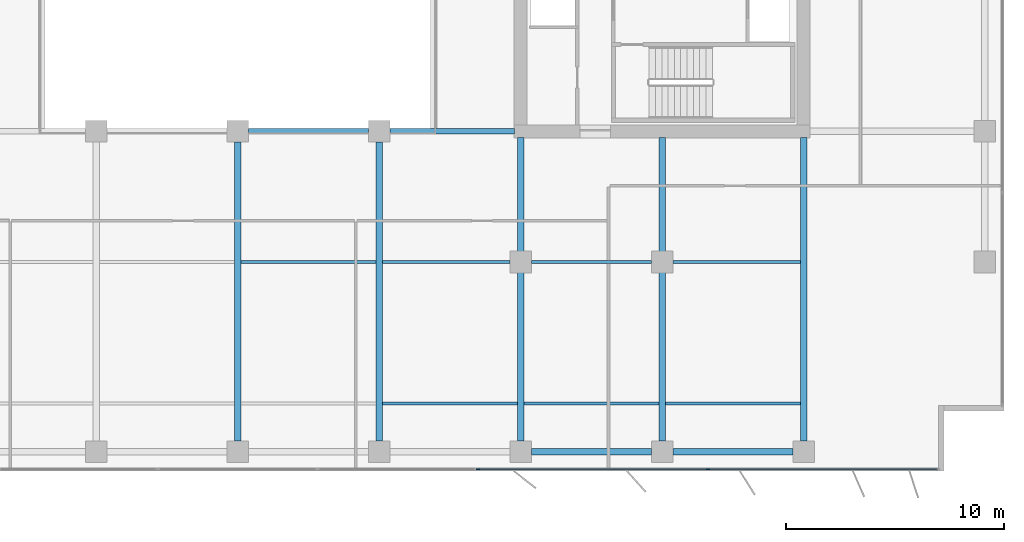
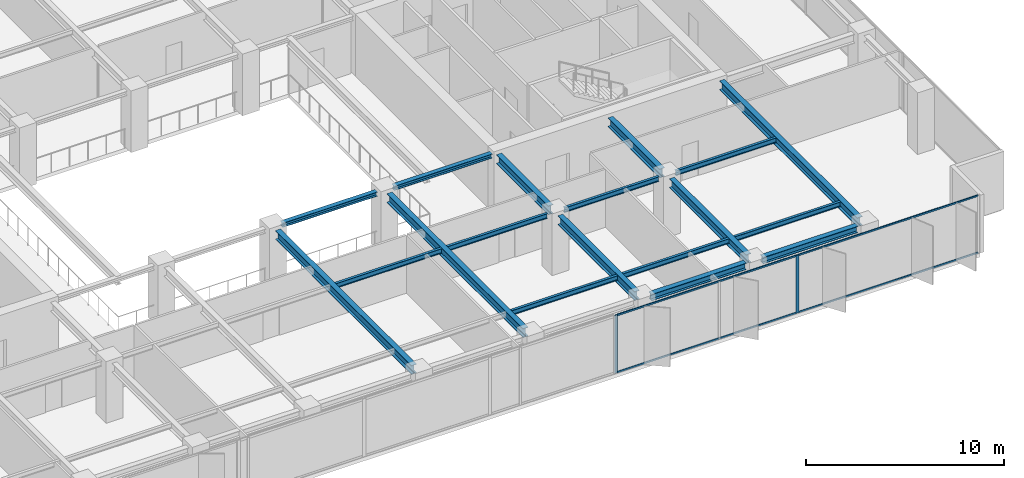
# One storey, part 6 of 22: 18 beams, 6 members, 1 element without a shape of its own.
"""IFC4 building model written with IfcOpenShell, lengths in metres."""

from ifc_helpers import new_model, si_unit, direction, frame, origin, origin_2d, place, context, subcontext, project, spatial, rectangle, i_section, extrude, material, layer, layer_set, material_profile, profile_set, type_object, element, aggregate, save


model = new_model("IFC4")

# Units and contexts
model_context = context("Model", 3, precision=1e-05, world=origin(), true_north=direction((0.0, 1.0)))
body_context = subcontext(model_context, "Body", "Model", "MODEL_VIEW")
ifc_project = project(units=[si_unit("LENGTHUNIT", "METRE"), si_unit("AREAUNIT", "SQUARE_METRE"), si_unit("VOLUMEUNIT", "CUBIC_METRE"), si_unit("PLANEANGLEUNIT", "RADIAN"), si_unit("MASSUNIT", "GRAM", prefix="KILO")], contexts=[model_context])

# Site, building, storey
site_placement = place(None, origin())
site = spatial("IfcSite", under=ifc_project, at=site_placement, CompositionType="ELEMENT")
building_placement = place(site_placement, origin())
building = spatial("IfcBuilding", under=site, at=building_placement, Name="Putna Gate Headquarters", CompositionType="ELEMENT")
storey_placement = place(building_placement, frame((0.0, 0.0, 148.0)))
storey = spatial("IfcBuildingStorey", under=building, at=storey_placement, Name="L36", CompositionType="ELEMENT", Elevation=148.0)

# Beams
ifc_material_1 = material(Name="Steel S355J2", Category="steel")
ifc_material_profile_1 = material_profile(ifc_material_1, i_section(OverallWidth=0.260009765625, OverallDepth=0.260009765625, WebThickness=0.010009765625, FlangeThickness=0.017578125, at=origin_2d()), Name="Steel S355J2")
ifc_profile_set_1 = profile_set([ifc_material_profile_1], Name="Steel S355J2")
beam_type_1 = type_object("IfcBeamType", Name="BM-ATRIUM-HEB260", PredefinedType="BEAM", material=ifc_profile_set_1)
beam_1_placement = place(storey_placement, frame((39.488037109375, 19.0, 3.44189453125), z_axis=(1.0, 0.0, 0.0), x_axis=(0.0, 1.0, 0.0)))
element("IfcBeam", 1, at=beam_1_placement, inside=storey, type_object=beam_type_1, Name="L36 Atrium Edge Beam AS3", PredefinedType="BEAM", context=body_context, shape_type="SweptSolid", body=[
    extrude(i_section(OverallWidth=0.260009765625, OverallDepth=0.260009765625, WebThickness=0.010009765625, FlangeThickness=0.017578125, at=origin_2d()), origin(), (0.0, 0.0, 1.0), 5.52392578125),
])
beam_2_placement = place(storey_placement, frame((45.988037109375, 19.0, 3.44189453125), z_axis=(1.0, 0.0, 0.0), x_axis=(0.0, 1.0, 0.0)))
element("IfcBeam", 2, at=beam_2_placement, inside=storey, type_object=beam_type_1, Name="L36 Atrium Edge Beam AS4", PredefinedType="BEAM", context=body_context, shape_type="SweptSolid", body=[
    extrude(i_section(OverallWidth=0.260009765625, OverallDepth=0.260009765625, WebThickness=0.010009765625, FlangeThickness=0.017578125, at=origin_2d()), origin(), (0.0, 0.0, 1.0), 5.72705078125),
])
ifc_material_profile_2 = material_profile(ifc_material_1, i_section(OverallWidth=0.300048828125, OverallDepth=0.550048828125, WebThickness=0.014892578125, FlangeThickness=0.029052734375, at=origin_2d()), Name="Steel S355J2")
ifc_profile_set_2 = profile_set([ifc_material_profile_2], Name="Steel S355J2")
beam_type_2 = type_object("IfcBeamType", Name="BM-GIRD-Z3-HEB550", PredefinedType="USERDEFINED", material=ifc_profile_set_2)
for number, where, z_axis, x_axis, name in (
    (3, (39.0, 4.76806640625, 3.297119140625), (0.0, 1.0, 0.0), (-1.0, 0.0, 0.0), "L36 South Primary Girder X39"),
    (4, (45.5, 4.76806640625, 3.297119140625), (0.0, 1.0, 0.0), (-1.0, 0.0, 0.0), "L36 South Primary Girder X45"),
):
    element("IfcBeam", number, at=place(storey_placement, frame(where, z_axis=z_axis, x_axis=x_axis)), inside=storey, type_object=beam_type_2, Name=name, ObjectType="GIRDER", PredefinedType="USERDEFINED", context=body_context, shape_type="SweptSolid", body=[
        extrude(i_section(OverallWidth=0.300048828125, OverallDepth=0.550048828125, WebThickness=0.014892578125, FlangeThickness=0.029052734375, at=origin_2d()), origin(), (0.0, 0.0, 1.0), 13.743896484375),
    ])
beam_3_placement = place(storey_placement, frame((52.0, 4.76806640625, 3.297119140625), z_axis=(0.0, 1.0, 0.0), x_axis=(-1.0, 0.0, 0.0)))
element("IfcBeam", 5, at=beam_3_placement, inside=storey, type_object=beam_type_2, Name="L36 South Primary Girder X52-1", ObjectType="GIRDER", PredefinedType="USERDEFINED", context=body_context, shape_type="SweptSolid", body=[
    extrude(i_section(OverallWidth=0.300048828125, OverallDepth=0.550048828125, WebThickness=0.014892578125, FlangeThickness=0.029052734375, at=origin_2d()), origin(), (0.0, 0.0, 1.0), 7.743896484375),
])
beam_4_placement = place(storey_placement, frame((52.0, 13.488037109375, 3.297119140625), z_axis=(0.0, 1.0, 0.0), x_axis=(-1.0, 0.0, 0.0)))
element("IfcBeam", 6, at=beam_4_placement, inside=storey, type_object=beam_type_2, Name="L36 South Primary Girder X52-2", ObjectType="GIRDER", PredefinedType="USERDEFINED", context=body_context, shape_type="SweptSolid", body=[
    extrude(i_section(OverallWidth=0.300048828125, OverallDepth=0.550048828125, WebThickness=0.014892578125, FlangeThickness=0.029052734375, at=origin_2d()), origin(), (0.0, 0.0, 1.0), 5.22705078125),
])
beam_5_placement = place(storey_placement, frame((58.5, 4.76806640625, 3.297119140625), z_axis=(0.0, 1.0, 0.0), x_axis=(-1.0, 0.0, 0.0)))
element("IfcBeam", 7, at=beam_5_placement, inside=storey, type_object=beam_type_2, Name="L36 South Primary Girder X58-1", ObjectType="GIRDER", PredefinedType="USERDEFINED", context=body_context, shape_type="SweptSolid", body=[
    extrude(i_section(OverallWidth=0.300048828125, OverallDepth=0.550048828125, WebThickness=0.014892578125, FlangeThickness=0.029052734375, at=origin_2d()), origin(), (0.0, 0.0, 1.0), 7.743896484375),
])
beam_6_placement = place(storey_placement, frame((58.5, 13.488037109375, 3.297119140625), z_axis=(0.0, 1.0, 0.0), x_axis=(-1.0, 0.0, 0.0)))
element("IfcBeam", 8, at=beam_6_placement, inside=storey, type_object=beam_type_2, Name="L36 South Primary Girder X58-2", ObjectType="GIRDER", PredefinedType="USERDEFINED", context=body_context, shape_type="SweptSolid", body=[
    extrude(i_section(OverallWidth=0.300048828125, OverallDepth=0.550048828125, WebThickness=0.014892578125, FlangeThickness=0.029052734375, at=origin_2d()), origin(), (0.0, 0.0, 1.0), 5.22705078125),
])
beam_7_placement = place(storey_placement, frame((65.0, 4.76806640625, 3.297119140625), z_axis=(0.0, 1.0, 0.0), x_axis=(-1.0, 0.0, 0.0)))
element("IfcBeam", 9, at=beam_7_placement, inside=storey, type_object=beam_type_2, Name="L36 South Primary Girder X65", ObjectType="GIRDER", PredefinedType="USERDEFINED", context=body_context, shape_type="SweptSolid", body=[
    extrude(i_section(OverallWidth=0.300048828125, OverallDepth=0.550048828125, WebThickness=0.014892578125, FlangeThickness=0.029052734375, at=origin_2d()), origin(), (0.0, 0.0, 1.0), 13.947021484375),
])
ifc_material_profile_3 = material_profile(ifc_material_1, i_section(OverallWidth=0.14990234375, OverallDepth=0.300048828125, WebThickness=0.007080078125, FlangeThickness=0.0107421875, at=origin_2d()), Name="Steel S355J2")
ifc_profile_set_3 = profile_set([ifc_material_profile_3], Name="Steel S355J2")
beam_type_3 = type_object("IfcBeamType", Name="BM-SEC-Z3-IPE300", PredefinedType="JOIST", material=ifc_profile_set_3)
for number, where, z_axis, x_axis, name in (
    (10, (39.154052734375, 13.0, 3.422119140625), (1.0, 0.0, 0.0), (0.0, 1.0, 0.0), "L36 South Secondary Beam 5"),
    (11, (45.654052734375, 6.5, 3.422119140625), (1.0, 0.0, 0.0), (0.0, 1.0, 0.0), "L36 South Secondary Beam 6"),
):
    element("IfcBeam", number, at=place(storey_placement, frame(where, z_axis=z_axis, x_axis=x_axis)), inside=storey, type_object=beam_type_3, Name=name, PredefinedType="JOIST", context=body_context, shape_type="SweptSolid", body=[
        extrude(i_section(OverallWidth=0.14990234375, OverallDepth=0.300048828125, WebThickness=0.007080078125, FlangeThickness=0.0107421875, at=origin_2d()), origin(), (0.0, 0.0, 1.0), 6.19189453125),
    ])
beam_8_placement = place(storey_placement, frame((45.654052734375, 13.0, 3.422119140625), z_axis=(1.0, 0.0, 0.0), x_axis=(0.0, 1.0, 0.0)))
element("IfcBeam", 12, at=beam_8_placement, inside=storey, type_object=beam_type_3, Name="L36 South Secondary Beam 6", PredefinedType="JOIST", context=body_context, shape_type="SweptSolid", body=[
    extrude(i_section(OverallWidth=0.14990234375, OverallDepth=0.300048828125, WebThickness=0.007080078125, FlangeThickness=0.0107421875, at=origin_2d()), origin(), (0.0, 0.0, 1.0), 5.85791015625),
])
beam_9_placement = place(storey_placement, frame((52.154052734375, 6.5, 3.422119140625), z_axis=(1.0, 0.0, 0.0), x_axis=(0.0, 1.0, 0.0)))
element("IfcBeam", 13, at=beam_9_placement, inside=storey, type_object=beam_type_3, Name="L36 South Secondary Beam 7", PredefinedType="JOIST", context=body_context, shape_type="SweptSolid", body=[
    extrude(i_section(OverallWidth=0.14990234375, OverallDepth=0.300048828125, WebThickness=0.007080078125, FlangeThickness=0.0107421875, at=origin_2d()), origin(), (0.0, 0.0, 1.0), 6.19189453125),
])
beam_10_placement = place(storey_placement, frame((52.488037109375, 13.0, 3.422119140625), z_axis=(1.0, 0.0, 0.0), x_axis=(0.0, 1.0, 0.0)))
element("IfcBeam", 14, at=beam_10_placement, inside=storey, type_object=beam_type_3, Name="L36 South Secondary Beam 7", PredefinedType="JOIST", context=body_context, shape_type="SweptSolid", body=[
    extrude(i_section(OverallWidth=0.14990234375, OverallDepth=0.300048828125, WebThickness=0.007080078125, FlangeThickness=0.0107421875, at=origin_2d()), origin(), (0.0, 0.0, 1.0), 5.52392578125),
])
beam_11_placement = place(storey_placement, frame((58.654052734375, 6.5, 3.422119140625), z_axis=(1.0, 0.0, 0.0), x_axis=(0.0, 1.0, 0.0)))
element("IfcBeam", 15, at=beam_11_placement, inside=storey, type_object=beam_type_3, Name="L36 South Secondary Beam 8", PredefinedType="JOIST", context=body_context, shape_type="SweptSolid", body=[
    extrude(i_section(OverallWidth=0.14990234375, OverallDepth=0.300048828125, WebThickness=0.007080078125, FlangeThickness=0.0107421875, at=origin_2d()), origin(), (0.0, 0.0, 1.0), 6.19189453125),
])
beam_12_placement = place(storey_placement, frame((58.988037109375, 13.0, 3.422119140625), z_axis=(1.0, 0.0, 0.0), x_axis=(0.0, 1.0, 0.0)))
element("IfcBeam", 16, at=beam_12_placement, inside=storey, type_object=beam_type_3, Name="L36 South Secondary Beam 8", PredefinedType="JOIST", context=body_context, shape_type="SweptSolid", body=[
    extrude(i_section(OverallWidth=0.14990234375, OverallDepth=0.300048828125, WebThickness=0.007080078125, FlangeThickness=0.0107421875, at=origin_2d()), origin(), (0.0, 0.0, 1.0), 5.85791015625),
])
ifc_material_profile_4 = material_profile(ifc_material_1, i_section(OverallWidth=0.300048828125, OverallDepth=0.39990234375, WebThickness=0.013427734375, FlangeThickness=0.02392578125, at=origin_2d()), Name="Steel S355J2")
ifc_profile_set_4 = profile_set([ifc_material_profile_4], Name="Steel S355J2")
beam_type_4 = type_object("IfcBeamType", Name="BM-SPAN-Z3-HEB400", PredefinedType="SPANDREL", material=ifc_profile_set_4)
for number, where, z_axis, x_axis, name in (
    (17, (52.488037109375, 4.280029296875, 3.3720703125), (1.0, 0.0, 0.0), (0.0, 1.0, 0.0), "L36 S Perimeter Spandrel 7"),
    (18, (58.988037109375, 4.280029296875, 3.3720703125), (1.0, 0.0, 0.0), (0.0, 1.0, 0.0), "L36 S Perimeter Spandrel 8"),
):
    element("IfcBeam", number, at=place(storey_placement, frame(where, z_axis=z_axis, x_axis=x_axis)), inside=storey, type_object=beam_type_4, Name=name, PredefinedType="SPANDREL", context=body_context, shape_type="SweptSolid", body=[
        extrude(i_section(OverallWidth=0.300048828125, OverallDepth=0.39990234375, WebThickness=0.013427734375, FlangeThickness=0.02392578125, at=origin_2d()), origin(), (0.0, 0.0, 1.0), 5.52392578125),
    ])

# Curtain wall, members
ifc_material_2 = material(Name="Anodised bronze aluminium curtain wall", Category="aluminium")
ifc_layer = layer(ifc_material_2, 0.159912109375)
ifc_layer_set = layer_set([ifc_layer], Name="Anodised bronze aluminium curtain wall")
curtain_wall_type = type_object("IfcCurtainWallType", Name="CW-SYS-Z3", PredefinedType="USERDEFINED", material=ifc_layer_set)
curtain_wall_placement = place(storey_placement, origin())
curtain_wall = element("IfcCurtainWall", 19, at=curtain_wall_placement, inside=storey, type_object=curtain_wall_type, Name="L36 South East Curtain Wall", ObjectType="STICK CURTAIN WALL", PredefinedType="USERDEFINED")
ifc_material_3 = material(Name="Anodised bronze aluminium EN AW-6060", Category="aluminium")
ifc_material_profile_5 = material_profile(ifc_material_3, rectangle(XDim=0.06494140625, YDim=0.159912109375, at=origin_2d()), Name="Anodised bronze aluminium EN AW-6060")
ifc_profile_set_5 = profile_set([ifc_material_profile_5], Name="Anodised bronze aluminium EN AW-6060")
member_type_1 = type_object("IfcMemberType", Name="MULL-CWM-3", PredefinedType="MULLION", material=ifc_profile_set_5)
member_1_placement = place(storey_placement, frame((50.032470703125, 3.47998046875, 0.0), z_axis=(0.0, 0.0, 1.0), x_axis=(0.0, 1.0, 0.0)))
member_1 = element("IfcMember", 20, at=member_1_placement, type_object=member_type_1, Name="CWS-3 mullion 1", PredefinedType="MULLION", context=body_context, shape_type="SweptSolid", body=[
    extrude(rectangle(XDim=0.06494140625, YDim=0.159912109375, at=origin_2d()), origin(), (0.0, 0.0, 1.0), 3.572021484375),
])
member_2_placement = place(storey_placement, frame((60.60009765625, 3.47998046875, 0.0), z_axis=(0.0, 0.0, 1.0), x_axis=(0.0, 1.0, 0.0)))
member_2 = element("IfcMember", 21, at=member_2_placement, type_object=member_type_1, Name="CWS-3 mullion 2", PredefinedType="MULLION", context=body_context, shape_type="SweptSolid", body=[
    extrude(rectangle(XDim=0.06494140625, YDim=0.159912109375, at=origin_2d()), origin(), (0.0, 0.0, 1.0), 3.572021484375),
])
ifc_material_profile_6 = material_profile(ifc_material_3, rectangle(XDim=0.06005859375, YDim=0.10009765625, at=origin_2d()), Name="Anodised bronze aluminium EN AW-6060")
ifc_profile_set_6 = profile_set([ifc_material_profile_6], Name="Anodised bronze aluminium EN AW-6060")
member_type_2 = type_object("IfcMemberType", Name="TRAN-CWT-3", PredefinedType="USERDEFINED", material=ifc_profile_set_6)
member_3_placement = place(storey_placement, frame((50.06494140625, 3.47998046875, 0.030029296875), z_axis=(1.0, 0.0, 0.0), x_axis=(0.0, 1.0, 0.0)))
member_3 = element("IfcMember", 22, at=member_3_placement, type_object=member_type_2, Name="CWS-3 transom 1.1", ObjectType="TRANSOM", PredefinedType="USERDEFINED", context=body_context, shape_type="SweptSolid", body=[
    extrude(rectangle(XDim=0.06005859375, YDim=0.10009765625, at=origin_2d()), origin(), (0.0, 0.0, 1.0), 10.50244140625),
])
member_4_placement = place(storey_placement, frame((50.06494140625, 3.47998046875, 3.5419921875), z_axis=(1.0, 0.0, 0.0), x_axis=(0.0, 1.0, 0.0)))
member_4 = element("IfcMember", 23, at=member_4_placement, type_object=member_type_2, Name="CWS-3 transom 1.2", ObjectType="TRANSOM", PredefinedType="USERDEFINED", context=body_context, shape_type="SweptSolid", body=[
    extrude(rectangle(XDim=0.06005859375, YDim=0.10009765625, at=origin_2d()), origin(), (0.0, 0.0, 1.0), 10.50244140625),
])
member_5_placement = place(storey_placement, frame((60.632568359375, 3.47998046875, 0.030029296875), z_axis=(1.0, 0.0, 0.0), x_axis=(0.0, 1.0, 0.0)))
member_5 = element("IfcMember", 24, at=member_5_placement, type_object=member_type_2, Name="CWS-3 transom 2.1", ObjectType="TRANSOM", PredefinedType="USERDEFINED", context=body_context, shape_type="SweptSolid", body=[
    extrude(rectangle(XDim=0.06005859375, YDim=0.10009765625, at=origin_2d()), origin(), (0.0, 0.0, 1.0), 10.50244140625),
])
member_6_placement = place(storey_placement, frame((60.632568359375, 3.47998046875, 3.5419921875), z_axis=(1.0, 0.0, 0.0), x_axis=(0.0, 1.0, 0.0)))
member_6 = element("IfcMember", 25, at=member_6_placement, type_object=member_type_2, Name="CWS-3 transom 2.2", ObjectType="TRANSOM", PredefinedType="USERDEFINED", context=body_context, shape_type="SweptSolid", body=[
    extrude(rectangle(XDim=0.06005859375, YDim=0.10009765625, at=origin_2d()), origin(), (0.0, 0.0, 1.0), 10.50244140625),
])
aggregate(curtain_wall, [member_1, member_2, member_3, member_4, member_5, member_6])

save(model, "model.ifc")
